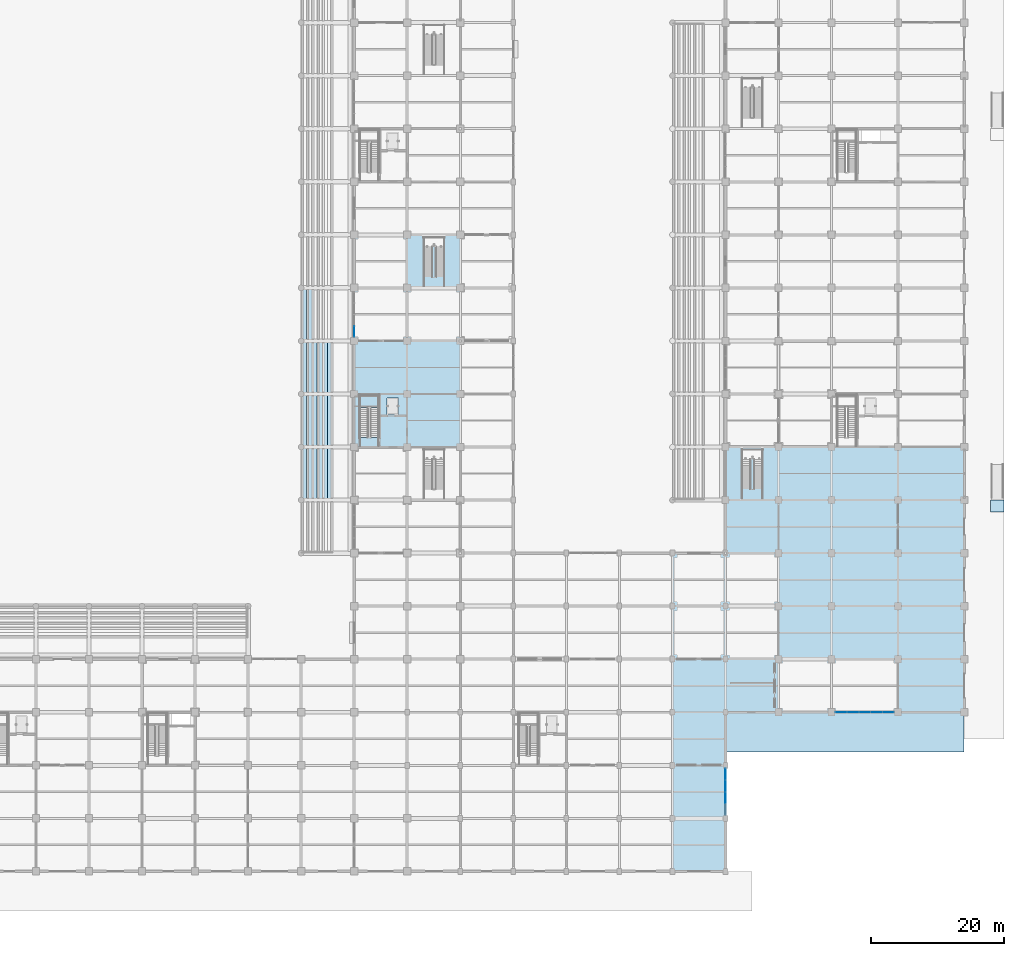
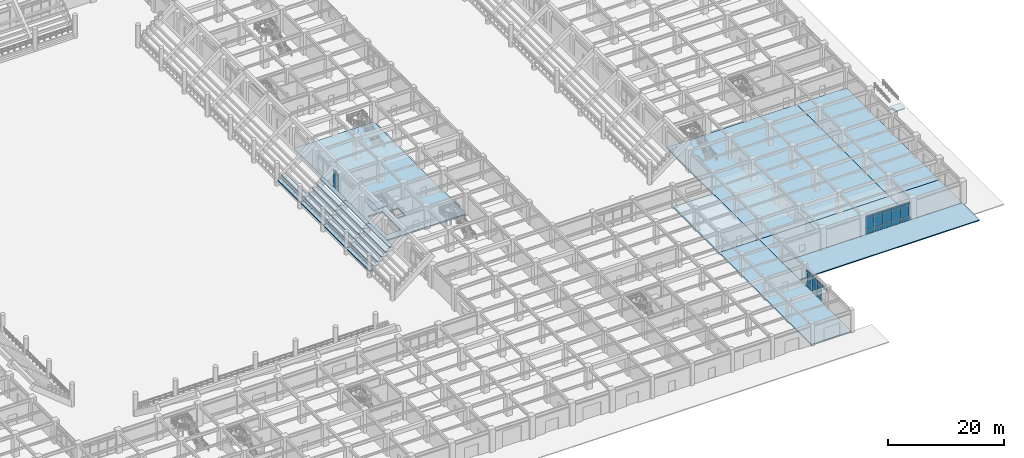
# One storey, part 63 of 125: 30 slabs, 28 plates, 4 elements without a shape of their own.
"""IFC4 building model written with IfcOpenShell, lengths in metres."""

from ifc_helpers import new_model, si_unit, direction, frame, origin, origin_2d, place, context, subcontext, project, spatial, polyline, rectangle, outline, extrude, material, layer, layer_set, type_object, element, aggregate, save


model = new_model("IFC4")

# Units and contexts
model_context = context("Model", 3, precision=1e-05, world=origin(), true_north=direction((0.0, 1.0)))
body_context = subcontext(model_context, "Body", "Model", "MODEL_VIEW")
ifc_project = project(units=[si_unit("LENGTHUNIT", "METRE"), si_unit("AREAUNIT", "SQUARE_METRE"), si_unit("VOLUMEUNIT", "CUBIC_METRE"), si_unit("PLANEANGLEUNIT", "RADIAN"), si_unit("MASSUNIT", "GRAM", prefix="KILO")], contexts=[model_context])

# Site, building, storey
site_placement = place(None, origin())
site = spatial("IfcSite", under=ifc_project, at=site_placement, CompositionType="ELEMENT")
building_placement = place(site_placement, origin())
building = spatial("IfcBuilding", under=site, at=building_placement, Name="Haebicheon Civic Stadium", CompositionType="ELEMENT")
storey_placement = place(building_placement, origin())
storey = spatial("IfcBuildingStorey", under=building, at=storey_placement, Name="L01", CompositionType="ELEMENT", Elevation=0.0)

# Curtain wall, plate
ifc_material_1 = material(Name="Anodised aluminium and laminated glass", Category="aluminium")
ifc_layer_1 = layer(ifc_material_1, 0.179931640625, Name="Anodised aluminium and laminated glass")
ifc_layer_set_1 = layer_set([ifc_layer_1], Name="Anodised aluminium and laminated glass")
curtain_wall_type_1 = type_object("IfcCurtainWallType", Name="CW-6900x3910", PredefinedType="NOTDEFINED", material=ifc_layer_set_1)
curtain_wall_1_placement = place(storey_placement, origin())
curtain_wall_1 = element("IfcCurtainWall", 1, at=curtain_wall_1_placement, inside=storey, type_object=curtain_wall_type_1, material=ifc_layer_set_1, Name="L01 unitised curtain wall 014", PredefinedType="NOTDEFINED")
ifc_material_2 = material(Name="Double low-e laminated glass", Category="glass")
ifc_layer_2 = layer(ifc_material_2, 0.028076171875, Name="Double low-e laminated glass")
ifc_layer_set_2 = layer_set([ifc_layer_2], Name="Double low-e laminated glass")
plate_type_1 = type_object("IfcPlateType", Name="CWP-GLZ-28", PredefinedType="CURTAIN_PANEL", material=ifc_layer_set_2)
plate_1_placement = place(storey_placement, frame((144.0, 81.431884765625, 0.93994140625), z_axis=(0.0, 0.0, 1.0), x_axis=(0.0, 1.0, 0.0)))
plate_1 = element("IfcPlate", 2, at=plate_1_placement, type_object=plate_type_1, material=ifc_layer_set_2, Name="CW-L01-014 vision panel 1.2", PredefinedType="CURTAIN_PANEL", context=body_context, shape_type="SweptSolid", body=[
    extrude(rectangle(XDim=1.60498046875, YDim=0.028076171875, at=origin_2d()), origin(), (0.0, 0.0, 1.0), 2.3798828125),
])

# Curtain wall, plates
ifc_material_3 = material(Name="Anodised aluminium and laminated glass", Category="aluminium")
ifc_layer_3 = layer(ifc_material_3, 0.179931640625, Name="Anodised aluminium and laminated glass")
ifc_layer_set_3 = layer_set([ifc_layer_3], Name="Anodised aluminium and laminated glass")
curtain_wall_type_2 = type_object("IfcCurtainWallType", Name="CW-7100x3660", PredefinedType="NOTDEFINED", material=ifc_layer_set_3)
curtain_wall_2_placement = place(storey_placement, origin())
curtain_wall_2 = element("IfcCurtainWall", 3, at=curtain_wall_2_placement, inside=storey, type_object=curtain_wall_type_2, material=ifc_layer_set_3, Name="L01 unitised curtain wall 023", PredefinedType="NOTDEFINED")
plate_2_placement = place(storey_placement, frame((200.0, 11.112060546875, 0.93994140625), z_axis=(0.0, 0.0, 1.0), x_axis=(0.0, 1.0, 0.0)))
plate_2 = element("IfcPlate", 4, at=plate_2_placement, type_object=plate_type_1, material=ifc_layer_set_2, Name="CW-L01-023 vision panel 2.2", PredefinedType="CURTAIN_PANEL", context=body_context, shape_type="SweptSolid", body=[
    extrude(rectangle(XDim=1.695068359375, YDim=0.028076171875, at=origin_2d()), origin(), (0.0, 0.0, 1.0), 2.1298828125),
])
plate_3_placement = place(storey_placement, frame((200.0, 12.887939453125, 0.93994140625), z_axis=(0.0, 0.0, 1.0), x_axis=(0.0, 1.0, 0.0)))
plate_3 = element("IfcPlate", 5, at=plate_3_placement, type_object=plate_type_1, material=ifc_layer_set_2, Name="CW-L01-023 vision panel 3.2", PredefinedType="CURTAIN_PANEL", context=body_context, shape_type="SweptSolid", body=[
    extrude(rectangle(XDim=1.695068359375, YDim=0.028076171875, at=origin_2d()), origin(), (0.0, 0.0, 1.0), 2.1298828125),
])
plate_4_placement = place(storey_placement, frame((200.0, 14.64306640625, 0.93994140625), z_axis=(0.0, 0.0, 1.0), x_axis=(0.0, 1.0, 0.0)))
plate_4 = element("IfcPlate", 6, at=plate_4_placement, type_object=plate_type_1, material=ifc_layer_set_2, Name="CW-L01-023 vision panel 4.2", PredefinedType="CURTAIN_PANEL", context=body_context, shape_type="SweptSolid", body=[
    extrude(rectangle(XDim=1.655029296875, YDim=0.028076171875, at=origin_2d()), origin(), (0.0, 0.0, 1.0), 2.1298828125),
])

ifc_material_4 = material(Name="Anodised aluminium and laminated glass", Category="aluminium")
ifc_layer_4 = layer(ifc_material_4, 0.179931640625, Name="Anodised aluminium and laminated glass")
ifc_layer_set_4 = layer_set([ifc_layer_4], Name="Anodised aluminium and laminated glass")
curtain_wall_type_3 = type_object("IfcCurtainWallType", Name="CW-8900x3870", PredefinedType="NOTDEFINED", material=ifc_layer_set_4)
curtain_wall_3_placement = place(storey_placement, origin())
curtain_wall_3 = element("IfcCurtainWall", 7, at=curtain_wall_3_placement, inside=storey, type_object=curtain_wall_type_3, material=ifc_layer_set_4, Name="L01 unitised curtain wall 027", PredefinedType="NOTDEFINED")
plate_5_placement = place(storey_placement, frame((217.4599609375, 24.0, 0.93994140625), z_axis=(0.0, 0.0, 1.0), x_axis=(1.0, 0.0, 0.0)))
plate_5 = element("IfcPlate", 8, at=plate_5_placement, type_object=plate_type_1, material=ifc_layer_set_2, Name="CW-L01-027 vision panel 1.2", PredefinedType="CURTAIN_PANEL", context=body_context, shape_type="SweptSolid", body=[
    extrude(rectangle(XDim=1.659912109375, YDim=0.028076171875, at=origin_2d()), origin(), (0.0, 0.0, 1.0), 2.340087890625),
])
plate_6_placement = place(storey_placement, frame((219.219970703125, 24.0, 0.93994140625), z_axis=(0.0, 0.0, 1.0), x_axis=(1.0, 0.0, 0.0)))
plate_6 = element("IfcPlate", 9, at=plate_6_placement, type_object=plate_type_1, material=ifc_layer_set_2, Name="CW-L01-027 vision panel 2.2", PredefinedType="CURTAIN_PANEL", context=body_context, shape_type="SweptSolid", body=[
    extrude(rectangle(XDim=1.699951171875, YDim=0.028076171875, at=origin_2d()), origin(), (0.0, 0.0, 1.0), 2.340087890625),
])
plate_7_placement = place(storey_placement, frame((221.0, 24.0, 0.93994140625), z_axis=(0.0, 0.0, 1.0), x_axis=(1.0, 0.0, 0.0)))
plate_7 = element("IfcPlate", 10, at=plate_7_placement, type_object=plate_type_1, material=ifc_layer_set_2, Name="CW-L01-027 vision panel 3.2", PredefinedType="CURTAIN_PANEL", context=body_context, shape_type="SweptSolid", body=[
    extrude(rectangle(XDim=1.699951171875, YDim=0.028076171875, at=origin_2d()), origin(), (0.0, 0.0, 1.0), 2.340087890625),
])
plate_8_placement = place(storey_placement, frame((222.780029296875, 24.0, 0.93994140625), z_axis=(0.0, 0.0, 1.0), x_axis=(1.0, 0.0, 0.0)))
plate_8 = element("IfcPlate", 11, at=plate_8_placement, type_object=plate_type_1, material=ifc_layer_set_2, Name="CW-L01-027 vision panel 4.2", PredefinedType="CURTAIN_PANEL", context=body_context, shape_type="SweptSolid", body=[
    extrude(rectangle(XDim=1.699951171875, YDim=0.028076171875, at=origin_2d()), origin(), (0.0, 0.0, 1.0), 2.340087890625),
])
plate_9_placement = place(storey_placement, frame((224.5400390625, 24.0, 0.93994140625), z_axis=(0.0, 0.0, 1.0), x_axis=(1.0, 0.0, 0.0)))
plate_9 = element("IfcPlate", 12, at=plate_9_placement, type_object=plate_type_1, material=ifc_layer_set_2, Name="CW-L01-027 vision panel 5.2", PredefinedType="CURTAIN_PANEL", context=body_context, shape_type="SweptSolid", body=[
    extrude(rectangle(XDim=1.659912109375, YDim=0.028076171875, at=origin_2d()), origin(), (0.0, 0.0, 1.0), 2.340087890625),
])

# Plate
ifc_material_5 = material(Name="Anodised aluminium 6063-T6", Category="aluminium")
ifc_layer_5 = layer(ifc_material_5, 0.0439453125, Name="Anodised aluminium 6063-T6")
ifc_layer_set_5 = layer_set([ifc_layer_5], Name="Anodised aluminium 6063-T6")
plate_type_2 = type_object("IfcPlateType", Name="CWP-SPD-44", PredefinedType="CURTAIN_PANEL", material=ifc_layer_set_5)
plate_10_placement = place(storey_placement, frame((144.0, 81.431884765625, 0.0400390625), z_axis=(0.0, 0.0, 1.0), x_axis=(0.0, 1.0, 0.0)))
plate_10 = element("IfcPlate", 13, at=plate_10_placement, type_object=plate_type_2, material=ifc_layer_set_5, Name="CW-L01-014 spandrel panel 1.1", PredefinedType="CURTAIN_PANEL", context=body_context, shape_type="SweptSolid", body=[
    extrude(rectangle(XDim=1.60498046875, YDim=0.0439453125, at=origin_2d()), origin(), (0.0, 0.0, 1.0), 0.820068359375),
])

plate_11_placement = place(storey_placement, frame((144.0, 81.431884765625, 3.39990234375), z_axis=(0.0, 0.0, 1.0), x_axis=(0.0, 1.0, 0.0)))
plate_11 = element("IfcPlate", 14, at=plate_11_placement, type_object=plate_type_2, material=ifc_layer_set_5, Name="CW-L01-014 spandrel panel 1.3", PredefinedType="CURTAIN_PANEL", context=body_context, shape_type="SweptSolid", body=[
    extrude(rectangle(XDim=1.60498046875, YDim=0.0439453125, at=origin_2d()), origin(), (0.0, 0.0, 1.0), 0.469970703125),
])

aggregate(curtain_wall_1, [plate_10, plate_1, plate_11])

plate_12_placement = place(storey_placement, frame((200.0, 9.35791015625, 3.14990234375), z_axis=(0.0, 0.0, 1.0), x_axis=(0.0, 1.0, 0.0)))
plate_12 = element("IfcPlate", 15, at=plate_12_placement, type_object=plate_type_2, material=ifc_layer_set_5, Name="CW-L01-023 spandrel panel 1.3", PredefinedType="CURTAIN_PANEL", context=body_context, shape_type="SweptSolid", body=[
    extrude(rectangle(XDim=1.655029296875, YDim=0.0439453125, at=origin_2d()), origin(), (0.0, 0.0, 1.0), 0.469970703125),
])

plate_13_placement = place(storey_placement, frame((200.0, 11.112060546875, 0.0400390625), z_axis=(0.0, 0.0, 1.0), x_axis=(0.0, 1.0, 0.0)))
plate_13 = element("IfcPlate", 16, at=plate_13_placement, type_object=plate_type_2, material=ifc_layer_set_5, Name="CW-L01-023 spandrel panel 2.1", PredefinedType="CURTAIN_PANEL", context=body_context, shape_type="SweptSolid", body=[
    extrude(rectangle(XDim=1.695068359375, YDim=0.0439453125, at=origin_2d()), origin(), (0.0, 0.0, 1.0), 0.820068359375),
])

plate_14_placement = place(storey_placement, frame((200.0, 11.112060546875, 3.14990234375), z_axis=(0.0, 0.0, 1.0), x_axis=(0.0, 1.0, 0.0)))
plate_14 = element("IfcPlate", 17, at=plate_14_placement, type_object=plate_type_2, material=ifc_layer_set_5, Name="CW-L01-023 spandrel panel 2.3", PredefinedType="CURTAIN_PANEL", context=body_context, shape_type="SweptSolid", body=[
    extrude(rectangle(XDim=1.695068359375, YDim=0.0439453125, at=origin_2d()), origin(), (0.0, 0.0, 1.0), 0.469970703125),
])

plate_15_placement = place(storey_placement, frame((200.0, 12.887939453125, 0.0400390625), z_axis=(0.0, 0.0, 1.0), x_axis=(0.0, 1.0, 0.0)))
plate_15 = element("IfcPlate", 18, at=plate_15_placement, type_object=plate_type_2, material=ifc_layer_set_5, Name="CW-L01-023 spandrel panel 3.1", PredefinedType="CURTAIN_PANEL", context=body_context, shape_type="SweptSolid", body=[
    extrude(rectangle(XDim=1.695068359375, YDim=0.0439453125, at=origin_2d()), origin(), (0.0, 0.0, 1.0), 0.820068359375),
])

plate_16_placement = place(storey_placement, frame((200.0, 12.887939453125, 3.14990234375), z_axis=(0.0, 0.0, 1.0), x_axis=(0.0, 1.0, 0.0)))
plate_16 = element("IfcPlate", 19, at=plate_16_placement, type_object=plate_type_2, material=ifc_layer_set_5, Name="CW-L01-023 spandrel panel 3.3", PredefinedType="CURTAIN_PANEL", context=body_context, shape_type="SweptSolid", body=[
    extrude(rectangle(XDim=1.695068359375, YDim=0.0439453125, at=origin_2d()), origin(), (0.0, 0.0, 1.0), 0.469970703125),
])

plate_17_placement = place(storey_placement, frame((200.0, 14.64306640625, 0.0400390625), z_axis=(0.0, 0.0, 1.0), x_axis=(0.0, 1.0, 0.0)))
plate_17 = element("IfcPlate", 20, at=plate_17_placement, type_object=plate_type_2, material=ifc_layer_set_5, Name="CW-L01-023 spandrel panel 4.1", PredefinedType="CURTAIN_PANEL", context=body_context, shape_type="SweptSolid", body=[
    extrude(rectangle(XDim=1.655029296875, YDim=0.0439453125, at=origin_2d()), origin(), (0.0, 0.0, 1.0), 0.820068359375),
])

plate_18_placement = place(storey_placement, frame((200.0, 14.64306640625, 3.14990234375), z_axis=(0.0, 0.0, 1.0), x_axis=(0.0, 1.0, 0.0)))
plate_18 = element("IfcPlate", 21, at=plate_18_placement, type_object=plate_type_2, material=ifc_layer_set_5, Name="CW-L01-023 spandrel panel 4.3", PredefinedType="CURTAIN_PANEL", context=body_context, shape_type="SweptSolid", body=[
    extrude(rectangle(XDim=1.655029296875, YDim=0.0439453125, at=origin_2d()), origin(), (0.0, 0.0, 1.0), 0.469970703125),
])

aggregate(curtain_wall_2, [plate_12, plate_13, plate_2, plate_14, plate_15, plate_3, plate_16, plate_17, plate_4, plate_18])

plate_19_placement = place(storey_placement, frame((217.4599609375, 24.0, 0.0400390625), z_axis=(0.0, 0.0, 1.0), x_axis=(1.0, 0.0, 0.0)))
plate_19 = element("IfcPlate", 22, at=plate_19_placement, type_object=plate_type_2, material=ifc_layer_set_5, Name="CW-L01-027 spandrel panel 1.1", PredefinedType="CURTAIN_PANEL", context=body_context, shape_type="SweptSolid", body=[
    extrude(rectangle(XDim=1.659912109375, YDim=0.0439453125, at=origin_2d()), origin(), (0.0, 0.0, 1.0), 0.820068359375),
])

plate_20_placement = place(storey_placement, frame((217.4599609375, 24.0, 3.35986328125), z_axis=(0.0, 0.0, 1.0), x_axis=(1.0, 0.0, 0.0)))
plate_20 = element("IfcPlate", 23, at=plate_20_placement, type_object=plate_type_2, material=ifc_layer_set_5, Name="CW-L01-027 spandrel panel 1.3", PredefinedType="CURTAIN_PANEL", context=body_context, shape_type="SweptSolid", body=[
    extrude(rectangle(XDim=1.659912109375, YDim=0.0439453125, at=origin_2d()), origin(), (0.0, 0.0, 1.0), 0.469970703125),
])

plate_21_placement = place(storey_placement, frame((219.219970703125, 24.0, 0.0400390625), z_axis=(0.0, 0.0, 1.0), x_axis=(1.0, 0.0, 0.0)))
plate_21 = element("IfcPlate", 24, at=plate_21_placement, type_object=plate_type_2, material=ifc_layer_set_5, Name="CW-L01-027 spandrel panel 2.1", PredefinedType="CURTAIN_PANEL", context=body_context, shape_type="SweptSolid", body=[
    extrude(rectangle(XDim=1.699951171875, YDim=0.0439453125, at=origin_2d()), origin(), (0.0, 0.0, 1.0), 0.820068359375),
])

plate_22_placement = place(storey_placement, frame((219.219970703125, 24.0, 3.35986328125), z_axis=(0.0, 0.0, 1.0), x_axis=(1.0, 0.0, 0.0)))
plate_22 = element("IfcPlate", 25, at=plate_22_placement, type_object=plate_type_2, material=ifc_layer_set_5, Name="CW-L01-027 spandrel panel 2.3", PredefinedType="CURTAIN_PANEL", context=body_context, shape_type="SweptSolid", body=[
    extrude(rectangle(XDim=1.699951171875, YDim=0.0439453125, at=origin_2d()), origin(), (0.0, 0.0, 1.0), 0.469970703125),
])

plate_23_placement = place(storey_placement, frame((221.0, 24.0, 0.0400390625), z_axis=(0.0, 0.0, 1.0), x_axis=(1.0, 0.0, 0.0)))
plate_23 = element("IfcPlate", 26, at=plate_23_placement, type_object=plate_type_2, material=ifc_layer_set_5, Name="CW-L01-027 spandrel panel 3.1", PredefinedType="CURTAIN_PANEL", context=body_context, shape_type="SweptSolid", body=[
    extrude(rectangle(XDim=1.699951171875, YDim=0.0439453125, at=origin_2d()), origin(), (0.0, 0.0, 1.0), 0.820068359375),
])

plate_24_placement = place(storey_placement, frame((221.0, 24.0, 3.35986328125), z_axis=(0.0, 0.0, 1.0), x_axis=(1.0, 0.0, 0.0)))
plate_24 = element("IfcPlate", 27, at=plate_24_placement, type_object=plate_type_2, material=ifc_layer_set_5, Name="CW-L01-027 spandrel panel 3.3", PredefinedType="CURTAIN_PANEL", context=body_context, shape_type="SweptSolid", body=[
    extrude(rectangle(XDim=1.699951171875, YDim=0.0439453125, at=origin_2d()), origin(), (0.0, 0.0, 1.0), 0.469970703125),
])

plate_25_placement = place(storey_placement, frame((222.780029296875, 24.0, 0.0400390625), z_axis=(0.0, 0.0, 1.0), x_axis=(1.0, 0.0, 0.0)))
plate_25 = element("IfcPlate", 28, at=plate_25_placement, type_object=plate_type_2, material=ifc_layer_set_5, Name="CW-L01-027 spandrel panel 4.1", PredefinedType="CURTAIN_PANEL", context=body_context, shape_type="SweptSolid", body=[
    extrude(rectangle(XDim=1.699951171875, YDim=0.0439453125, at=origin_2d()), origin(), (0.0, 0.0, 1.0), 0.820068359375),
])

plate_26_placement = place(storey_placement, frame((222.780029296875, 24.0, 3.35986328125), z_axis=(0.0, 0.0, 1.0), x_axis=(1.0, 0.0, 0.0)))
plate_26 = element("IfcPlate", 29, at=plate_26_placement, type_object=plate_type_2, material=ifc_layer_set_5, Name="CW-L01-027 spandrel panel 4.3", PredefinedType="CURTAIN_PANEL", context=body_context, shape_type="SweptSolid", body=[
    extrude(rectangle(XDim=1.699951171875, YDim=0.0439453125, at=origin_2d()), origin(), (0.0, 0.0, 1.0), 0.469970703125),
])

plate_27_placement = place(storey_placement, frame((224.5400390625, 24.0, 0.0400390625), z_axis=(0.0, 0.0, 1.0), x_axis=(1.0, 0.0, 0.0)))
plate_27 = element("IfcPlate", 30, at=plate_27_placement, type_object=plate_type_2, material=ifc_layer_set_5, Name="CW-L01-027 spandrel panel 5.1", PredefinedType="CURTAIN_PANEL", context=body_context, shape_type="SweptSolid", body=[
    extrude(rectangle(XDim=1.659912109375, YDim=0.0439453125, at=origin_2d()), origin(), (0.0, 0.0, 1.0), 0.820068359375),
])

plate_28_placement = place(storey_placement, frame((224.5400390625, 24.0, 3.35986328125), z_axis=(0.0, 0.0, 1.0), x_axis=(1.0, 0.0, 0.0)))
plate_28 = element("IfcPlate", 31, at=plate_28_placement, type_object=plate_type_2, material=ifc_layer_set_5, Name="CW-L01-027 spandrel panel 5.3", PredefinedType="CURTAIN_PANEL", context=body_context, shape_type="SweptSolid", body=[
    extrude(rectangle(XDim=1.659912109375, YDim=0.0439453125, at=origin_2d()), origin(), (0.0, 0.0, 1.0), 0.469970703125),
])

aggregate(curtain_wall_3, [plate_19, plate_5, plate_20, plate_21, plate_6, plate_22, plate_23, plate_7, plate_24, plate_25, plate_8, plate_26, plate_27, plate_9, plate_28])

# Slabs
ifc_material_6 = material(Name="Concrete C40/50", Category="concrete")
ifc_layer_6 = layer(ifc_material_6, 0.300048828125, Name="Concrete C40/50")
ifc_layer_set_6 = layer_set([ifc_layer_6], Name="Concrete C40/50")
slab_type_1 = type_object("IfcSlabType", Name="SLB-FLR-300", PredefinedType="FLOOR", material=ifc_layer_set_6)
slab_1_placement = place(storey_placement, frame((0.0, 0.0, -0.300048828125)))
element("IfcSlab", 32, at=slab_1_placement, inside=storey, type_object=slab_type_1, material=ifc_layer_set_6, Name="L01 V2 structural slab 9.1", PredefinedType="FLOOR", context=body_context, shape_type="SweptSolid", body=[
    extrude(outline(polyline([(144.0, 80.0), (144.0, 88.0), (144.0, 96.0), (152.0, 96.0), (160.0, 96.0), (160.0, 88.0), (160.0, 80.0), (160.0, 72.0), (160.0, 64.0), (152.0, 64.0), (144.0, 64.0), (144.0, 72.0), (144.0, 80.0)]), holes=[polyline([(144.840087890625, 65.4599609375), (147.739990234375, 65.4599609375), (147.739990234375, 71.840087890625), (144.840087890625, 71.840087890625), (144.840087890625, 65.4599609375)]), polyline([(148.969970703125, 68.929931640625), (150.669921875, 68.929931640625), (150.669921875, 71.429931640625), (148.969970703125, 71.429931640625), (148.969970703125, 68.929931640625)])]), origin(), (0.0, 0.0, 1.0), 0.300048828125),
])
slab_2_placement = place(storey_placement, frame((0.0, 0.0, -0.300048828125)))
element("IfcSlab", 33, at=slab_2_placement, inside=storey, type_object=slab_type_1, material=ifc_layer_set_6, Name="L01 V3 structural slab 1.1", PredefinedType="FLOOR", context=body_context, shape_type="SweptSolid", body=[
    extrude(outline(polyline([(200.0, 24.0), (200.0, 32.0), (208.0, 32.0), (216.0, 32.0), (226.0, 32.0), (226.0, 24.0), (216.0, 24.0), (208.0, 24.0), (200.0, 24.0)])), origin(), (0.0, 0.0, 1.0), 0.300048828125),
])
slab_3_placement = place(storey_placement, frame((0.0, 0.0, -0.300048828125)))
element("IfcSlab", 34, at=slab_3_placement, inside=storey, type_object=slab_type_1, material=ifc_layer_set_6, Name="L01 V3 structural slab 2.1", PredefinedType="FLOOR", context=body_context, shape_type="SweptSolid", body=[
    extrude(outline(polyline([(200.0, 48.0), (200.0, 56.0), (200.0, 64.0), (208.0, 64.0), (216.0, 64.0), (226.0, 64.0), (226.0, 56.0), (226.0, 48.0), (226.0, 40.0), (226.0, 32.0), (216.0, 32.0), (208.0, 32.0), (200.0, 32.0), (200.0, 40.0), (200.0, 48.0)])), origin(), (0.0, 0.0, 1.0), 0.300048828125),
])
slab_4_placement = place(storey_placement, frame((0.0, 0.0, -0.300048828125)))
element("IfcSlab", 35, at=slab_4_placement, inside=storey, type_object=slab_type_1, material=ifc_layer_set_6, Name="L01 V3 structural slab 6.1", PredefinedType="FLOOR", context=body_context, shape_type="SweptSolid", body=[
    extrude(outline(polyline([(236.0, 24.0), (226.0, 24.0), (226.0, 32.0), (236.0, 32.0), (236.0, 24.0)])), origin(), (0.0, 0.0, 1.0), 0.300048828125),
])
slab_5_placement = place(storey_placement, frame((0.0, 0.0, -0.300048828125)))
element("IfcSlab", 36, at=slab_5_placement, inside=storey, type_object=slab_type_1, material=ifc_layer_set_6, Name="L01 V3 structural slab 7.1", PredefinedType="FLOOR", context=body_context, shape_type="SweptSolid", body=[
    extrude(outline(polyline([(226.0, 32.0), (226.0, 40.0), (226.0, 48.0), (226.0, 56.0), (226.0, 64.0), (236.0, 64.0), (236.0, 56.0), (236.0, 48.0), (236.0, 40.0), (236.0, 32.0), (226.0, 32.0)])), origin(), (0.0, 0.0, 1.0), 0.300048828125),
])
slab_6_placement = place(storey_placement, frame((0.0, 0.0, -0.300048828125)))
element("IfcSlab", 37, at=slab_6_placement, inside=storey, type_object=slab_type_1, material=ifc_layer_set_6, Name="L01 V4 structural slab 10.1", PredefinedType="FLOOR", context=body_context, shape_type="SweptSolid", body=[
    extrude(outline(polyline([(192.0, 0.0), (192.0, 8.0), (192.0, 16.0), (192.0, 24.0), (192.0, 32.0), (200.0, 32.0), (200.0, 24.0), (200.0, 16.0), (200.0, 8.0), (200.0, 0.0), (192.0, 0.0)])), origin(), (0.0, 0.0, 1.0), 0.300048828125),
])
slab_7_placement = place(storey_placement, frame((0.0, 0.0, -0.300048828125)))
element("IfcSlab", 38, at=slab_7_placement, inside=storey, type_object=slab_type_1, material=ifc_layer_set_6, Name="L01 V4 structural slab 11.1", PredefinedType="FLOOR", context=body_context, shape_type="SweptSolid", body=[
    extrude(outline(polyline([(200.0, 32.0), (192.0, 32.0), (192.0, 40.0), (192.0, 48.0), (200.0, 48.0), (200.0, 40.0), (200.0, 32.0)])), origin(), (0.0, 0.0, 1.0), 0.300048828125),
])

# Stair, slab
ifc_material_7 = material(Name="Concrete C40/50", Category="concrete")
stair_type = type_object("IfcStairType", Name="STR-DL-W128-H48", PredefinedType="HALF_TURN_STAIR", material=ifc_material_7)
stair_placement = place(storey_placement, origin())
stair = element("IfcStair", 39, at=stair_placement, inside=storey, type_object=stair_type, material=ifc_material_7, Name="L01 Escape stair ST-10", PredefinedType="HALF_TURN_STAIR")
ifc_material_8 = material(Name="Concrete C40/50", Category="concrete")
ifc_layer_7 = layer(ifc_material_8, 0.199951171875, Name="Concrete C40/50")
ifc_layer_set_7 = layer_set([ifc_layer_7], Name="Concrete C40/50")
slab_type_2 = type_object("IfcSlabType", Name="SLB-LND-200", PredefinedType="LANDING", material=ifc_layer_set_7)
slab_8_placement = place(storey_placement, frame((0.0, 0.0, 2.199951171875)))
slab_8 = element("IfcSlab", 40, at=slab_8_placement, type_object=slab_type_2, material=ifc_layer_set_7, Name="ST-10 landing 1", PredefinedType="LANDING", context=body_context, shape_type="SweptSolid", body=[
    extrude(outline(polyline([(147.739990234375, 69.949951171875), (147.739990234375, 71.840087890625), (144.840087890625, 71.840087890625), (144.840087890625, 69.949951171875), (147.739990234375, 69.949951171875)])), origin(), (0.0, 0.0, 1.0), 0.199951171875),
])
aggregate(stair, [slab_8])

# Slabs
ifc_material_9 = material(Name="Precast concrete C35/45", Category="concrete")
ifc_layer_8 = layer(ifc_material_9, 0.199951171875, Name="Precast concrete C35/45")
ifc_layer_set_8 = layer_set([ifc_layer_8], Name="Precast concrete C35/45")
slab_type_3 = type_object("IfcSlabType", Name="SLB-PAV-200", PredefinedType="BASESLAB", material=ifc_layer_set_8)
slab_9_placement = place(storey_placement, frame((0.0, 0.0, -0.199951171875)))
element("IfcSlab", 41, at=slab_9_placement, inside=storey, type_object=slab_type_3, material=ifc_layer_set_8, Name="Exterior plaza paving apron APR-SOUTH-EAST", PredefinedType="BASESLAB", context=body_context, shape_type="SweptSolid", body=[
    extrude(outline(polyline([(236.0, 18.0), (200.0048828125, 18.0), (200.0048828125, 23.9951171875), (236.0, 23.9951171875), (236.0, 18.0)])), origin(), (0.0, 0.0, 1.0), 0.199951171875),
])
slab_10_placement = place(storey_placement, frame((0.0, 0.0, -0.64990234375)))
element("IfcSlab", 42, at=slab_10_placement, inside=storey, type_object=slab_type_3, material=ifc_layer_set_8, Name="Exterior paving ramp landing RMP-04", PredefinedType="BASESLAB", context=body_context, shape_type="SweptSolid", body=[
    extrude(outline(polyline([(240.0, 54.199951171875), (242.0, 54.199951171875), (242.0, 56.0), (240.0, 56.0), (240.0, 54.199951171875)])), origin(), (0.0, 0.0, 1.0), 0.199951171875),
])
ifc_material_10 = material(Name="Precast concrete C40/50", Category="concrete")
ifc_layer_9 = layer(ifc_material_10, 0.239990234375, Name="Precast concrete C40/50")
ifc_layer_set_9 = layer_set([ifc_layer_9], Name="Precast concrete C40/50")
slab_type_4 = type_object("IfcSlabType", Name="SLB-TIER-240", PredefinedType="USERDEFINED", material=ifc_layer_set_9)
slab_11_placement = place(storey_placement, frame((0.0, 0.0, 0.9599609375)))
element("IfcSlab", 43, at=slab_11_placement, inside=storey, type_object=slab_type_4, material=ifc_layer_set_9, Name="TIER-E-L precast seating tier bay 2 row-band 1", ObjectType="SEATING TIER", PredefinedType="USERDEFINED", context=body_context, shape_type="SweptSolid", body=[
    extrude(outline(polyline([(136.0, 56.0), (136.800048828125, 56.0), (136.800048828125, 64.0), (136.0, 64.0), (136.0, 56.0)])), origin(), (0.0, 0.0, 1.0), 0.239990234375),
])
slab_12_placement = place(storey_placement, frame((0.0, 0.0, 1.6708984375)))
element("IfcSlab", 44, at=slab_12_placement, inside=storey, type_object=slab_type_4, material=ifc_layer_set_9, Name="TIER-E-L precast seating tier bay 2 row-band 2", ObjectType="SEATING TIER", PredefinedType="USERDEFINED", context=body_context, shape_type="SweptSolid", body=[
    extrude(outline(polyline([(136.800048828125, 56.0), (137.60009765625, 56.0), (137.60009765625, 64.0), (136.800048828125, 64.0), (136.800048828125, 56.0)])), origin(), (0.0, 0.0, 1.0), 0.239990234375),
])
slab_13_placement = place(storey_placement, frame((0.0, 0.0, 2.382080078125)))
element("IfcSlab", 45, at=slab_13_placement, inside=storey, type_object=slab_type_4, material=ifc_layer_set_9, Name="TIER-E-L precast seating tier bay 2 row-band 3", ObjectType="SEATING TIER", PredefinedType="USERDEFINED", context=body_context, shape_type="SweptSolid", body=[
    extrude(outline(polyline([(137.60009765625, 56.0), (138.39990234375, 56.0), (138.39990234375, 64.0), (137.60009765625, 64.0), (137.60009765625, 56.0)])), origin(), (0.0, 0.0, 1.0), 0.239990234375),
])
slab_14_placement = place(storey_placement, frame((0.0, 0.0, 3.093017578125)))
element("IfcSlab", 46, at=slab_14_placement, inside=storey, type_object=slab_type_4, material=ifc_layer_set_9, Name="TIER-E-L precast seating tier bay 2 row-band 4", ObjectType="SEATING TIER", PredefinedType="USERDEFINED", context=body_context, shape_type="SweptSolid", body=[
    extrude(outline(polyline([(138.39990234375, 56.0), (139.199951171875, 56.0), (139.199951171875, 64.0), (138.39990234375, 64.0), (138.39990234375, 56.0)])), origin(), (0.0, 0.0, 1.0), 0.239990234375),
])
slab_15_placement = place(storey_placement, frame((0.0, 0.0, 3.803955078125)))
element("IfcSlab", 47, at=slab_15_placement, inside=storey, type_object=slab_type_4, material=ifc_layer_set_9, Name="TIER-E-L precast seating tier bay 2 row-band 5", ObjectType="SEATING TIER", PredefinedType="USERDEFINED", context=body_context, shape_type="SweptSolid", body=[
    extrude(outline(polyline([(139.199951171875, 56.0), (140.0, 56.0), (140.0, 64.0), (139.199951171875, 64.0), (139.199951171875, 56.0)])), origin(), (0.0, 0.0, 1.0), 0.239990234375),
])
slab_16_placement = place(storey_placement, frame((0.0, 0.0, 4.51611328125)))
element("IfcSlab", 48, at=slab_16_placement, inside=storey, type_object=slab_type_4, material=ifc_layer_set_9, Name="TIER-E-L precast seating tier bay 2 row-band 6", ObjectType="SEATING TIER", PredefinedType="USERDEFINED", context=body_context, shape_type="SweptSolid", body=[
    extrude(outline(polyline([(140.0, 56.0), (140.800048828125, 56.0), (140.800048828125, 64.0), (140.0, 64.0), (140.0, 56.0)])), origin(), (0.0, 0.0, 1.0), 0.239990234375),
])
slab_17_placement = place(storey_placement, frame((0.0, 0.0, 0.9599609375)))
element("IfcSlab", 49, at=slab_17_placement, inside=storey, type_object=slab_type_4, material=ifc_layer_set_9, Name="TIER-E-L precast seating tier bay 3 row-band 1", ObjectType="SEATING TIER", PredefinedType="USERDEFINED", context=body_context, shape_type="SweptSolid", body=[
    extrude(outline(polyline([(136.0, 64.0), (136.800048828125, 64.0), (136.800048828125, 72.0), (136.0, 72.0), (136.0, 64.0)])), origin(), (0.0, 0.0, 1.0), 0.239990234375),
])
slab_18_placement = place(storey_placement, frame((0.0, 0.0, 1.6708984375)))
element("IfcSlab", 50, at=slab_18_placement, inside=storey, type_object=slab_type_4, material=ifc_layer_set_9, Name="TIER-E-L precast seating tier bay 3 row-band 2", ObjectType="SEATING TIER", PredefinedType="USERDEFINED", context=body_context, shape_type="SweptSolid", body=[
    extrude(outline(polyline([(136.800048828125, 64.0), (137.60009765625, 64.0), (137.60009765625, 72.0), (136.800048828125, 72.0), (136.800048828125, 64.0)])), origin(), (0.0, 0.0, 1.0), 0.239990234375),
])
slab_19_placement = place(storey_placement, frame((0.0, 0.0, 2.382080078125)))
element("IfcSlab", 51, at=slab_19_placement, inside=storey, type_object=slab_type_4, material=ifc_layer_set_9, Name="TIER-E-L precast seating tier bay 3 row-band 3", ObjectType="SEATING TIER", PredefinedType="USERDEFINED", context=body_context, shape_type="SweptSolid", body=[
    extrude(outline(polyline([(137.60009765625, 64.0), (138.39990234375, 64.0), (138.39990234375, 72.0), (137.60009765625, 72.0), (137.60009765625, 64.0)])), origin(), (0.0, 0.0, 1.0), 0.239990234375),
])
slab_20_placement = place(storey_placement, frame((0.0, 0.0, 3.093017578125)))
element("IfcSlab", 52, at=slab_20_placement, inside=storey, type_object=slab_type_4, material=ifc_layer_set_9, Name="TIER-E-L precast seating tier bay 3 row-band 4", ObjectType="SEATING TIER", PredefinedType="USERDEFINED", context=body_context, shape_type="SweptSolid", body=[
    extrude(outline(polyline([(138.39990234375, 64.0), (139.199951171875, 64.0), (139.199951171875, 72.0), (138.39990234375, 72.0), (138.39990234375, 64.0)])), origin(), (0.0, 0.0, 1.0), 0.239990234375),
])
slab_21_placement = place(storey_placement, frame((0.0, 0.0, 3.803955078125)))
element("IfcSlab", 53, at=slab_21_placement, inside=storey, type_object=slab_type_4, material=ifc_layer_set_9, Name="TIER-E-L precast seating tier bay 3 row-band 5", ObjectType="SEATING TIER", PredefinedType="USERDEFINED", context=body_context, shape_type="SweptSolid", body=[
    extrude(outline(polyline([(139.199951171875, 64.0), (140.0, 64.0), (140.0, 72.0), (139.199951171875, 72.0), (139.199951171875, 64.0)])), origin(), (0.0, 0.0, 1.0), 0.239990234375),
])
slab_22_placement = place(storey_placement, frame((0.0, 0.0, 4.51611328125)))
element("IfcSlab", 54, at=slab_22_placement, inside=storey, type_object=slab_type_4, material=ifc_layer_set_9, Name="TIER-E-L precast seating tier bay 3 row-band 6", ObjectType="SEATING TIER", PredefinedType="USERDEFINED", context=body_context, shape_type="SweptSolid", body=[
    extrude(outline(polyline([(140.0, 64.0), (140.800048828125, 64.0), (140.800048828125, 72.0), (140.0, 72.0), (140.0, 64.0)])), origin(), (0.0, 0.0, 1.0), 0.239990234375),
])
slab_23_placement = place(storey_placement, frame((0.0, 0.0, 0.9599609375)))
element("IfcSlab", 55, at=slab_23_placement, inside=storey, type_object=slab_type_4, material=ifc_layer_set_9, Name="TIER-E-L precast seating tier bay 4 row-band 1", ObjectType="SEATING TIER", PredefinedType="USERDEFINED", context=body_context, shape_type="SweptSolid", body=[
    extrude(outline(polyline([(136.0, 72.0), (136.800048828125, 72.0), (136.800048828125, 80.0), (136.0, 80.0), (136.0, 72.0)])), origin(), (0.0, 0.0, 1.0), 0.239990234375),
])
slab_24_placement = place(storey_placement, frame((0.0, 0.0, 1.6708984375)))
element("IfcSlab", 56, at=slab_24_placement, inside=storey, type_object=slab_type_4, material=ifc_layer_set_9, Name="TIER-E-L precast seating tier bay 4 row-band 2", ObjectType="SEATING TIER", PredefinedType="USERDEFINED", context=body_context, shape_type="SweptSolid", body=[
    extrude(outline(polyline([(136.800048828125, 72.0), (137.60009765625, 72.0), (137.60009765625, 80.0), (136.800048828125, 80.0), (136.800048828125, 72.0)])), origin(), (0.0, 0.0, 1.0), 0.239990234375),
])
slab_25_placement = place(storey_placement, frame((0.0, 0.0, 2.382080078125)))
element("IfcSlab", 57, at=slab_25_placement, inside=storey, type_object=slab_type_4, material=ifc_layer_set_9, Name="TIER-E-L precast seating tier bay 4 row-band 3", ObjectType="SEATING TIER", PredefinedType="USERDEFINED", context=body_context, shape_type="SweptSolid", body=[
    extrude(outline(polyline([(137.60009765625, 72.0), (138.39990234375, 72.0), (138.39990234375, 80.0), (137.60009765625, 80.0), (137.60009765625, 72.0)])), origin(), (0.0, 0.0, 1.0), 0.239990234375),
])
slab_26_placement = place(storey_placement, frame((0.0, 0.0, 3.093017578125)))
element("IfcSlab", 58, at=slab_26_placement, inside=storey, type_object=slab_type_4, material=ifc_layer_set_9, Name="TIER-E-L precast seating tier bay 4 row-band 4", ObjectType="SEATING TIER", PredefinedType="USERDEFINED", context=body_context, shape_type="SweptSolid", body=[
    extrude(outline(polyline([(138.39990234375, 72.0), (139.199951171875, 72.0), (139.199951171875, 80.0), (138.39990234375, 80.0), (138.39990234375, 72.0)])), origin(), (0.0, 0.0, 1.0), 0.239990234375),
])
slab_27_placement = place(storey_placement, frame((0.0, 0.0, 3.803955078125)))
element("IfcSlab", 59, at=slab_27_placement, inside=storey, type_object=slab_type_4, material=ifc_layer_set_9, Name="TIER-E-L precast seating tier bay 4 row-band 5", ObjectType="SEATING TIER", PredefinedType="USERDEFINED", context=body_context, shape_type="SweptSolid", body=[
    extrude(outline(polyline([(139.199951171875, 72.0), (140.0, 72.0), (140.0, 80.0), (139.199951171875, 80.0), (139.199951171875, 72.0)])), origin(), (0.0, 0.0, 1.0), 0.239990234375),
])
slab_28_placement = place(storey_placement, frame((0.0, 0.0, 4.51611328125)))
element("IfcSlab", 60, at=slab_28_placement, inside=storey, type_object=slab_type_4, material=ifc_layer_set_9, Name="TIER-E-L precast seating tier bay 4 row-band 6", ObjectType="SEATING TIER", PredefinedType="USERDEFINED", context=body_context, shape_type="SweptSolid", body=[
    extrude(outline(polyline([(140.0, 72.0), (140.800048828125, 72.0), (140.800048828125, 80.0), (140.0, 80.0), (140.0, 72.0)])), origin(), (0.0, 0.0, 1.0), 0.239990234375),
])
slab_29_placement = place(storey_placement, frame((0.0, 0.0, 0.9599609375)))
element("IfcSlab", 61, at=slab_29_placement, inside=storey, type_object=slab_type_4, material=ifc_layer_set_9, Name="TIER-E-L precast seating tier bay 5 row-band 1", ObjectType="SEATING TIER", PredefinedType="USERDEFINED", context=body_context, shape_type="SweptSolid", body=[
    extrude(outline(polyline([(136.0, 80.0), (136.800048828125, 80.0), (136.800048828125, 88.0), (136.0, 88.0), (136.0, 80.0)])), origin(), (0.0, 0.0, 1.0), 0.239990234375),
])
slab_30_placement = place(storey_placement, frame((0.0, 0.0, 1.6708984375)))
element("IfcSlab", 62, at=slab_30_placement, inside=storey, type_object=slab_type_4, material=ifc_layer_set_9, Name="TIER-E-L precast seating tier bay 5 row-band 2", ObjectType="SEATING TIER", PredefinedType="USERDEFINED", context=body_context, shape_type="SweptSolid", body=[
    extrude(outline(polyline([(136.800048828125, 80.0), (137.60009765625, 80.0), (137.60009765625, 88.0), (136.800048828125, 88.0), (136.800048828125, 80.0)])), origin(), (0.0, 0.0, 1.0), 0.239990234375),
])

save(model, "model.ifc")
